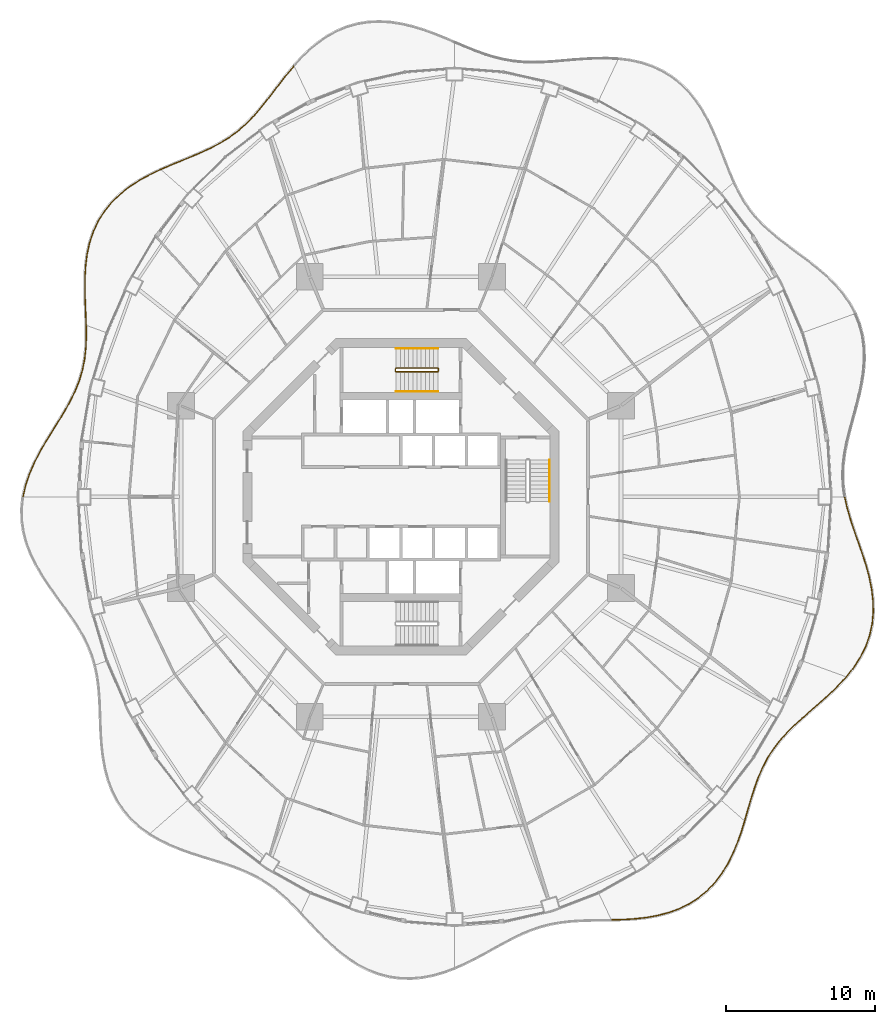
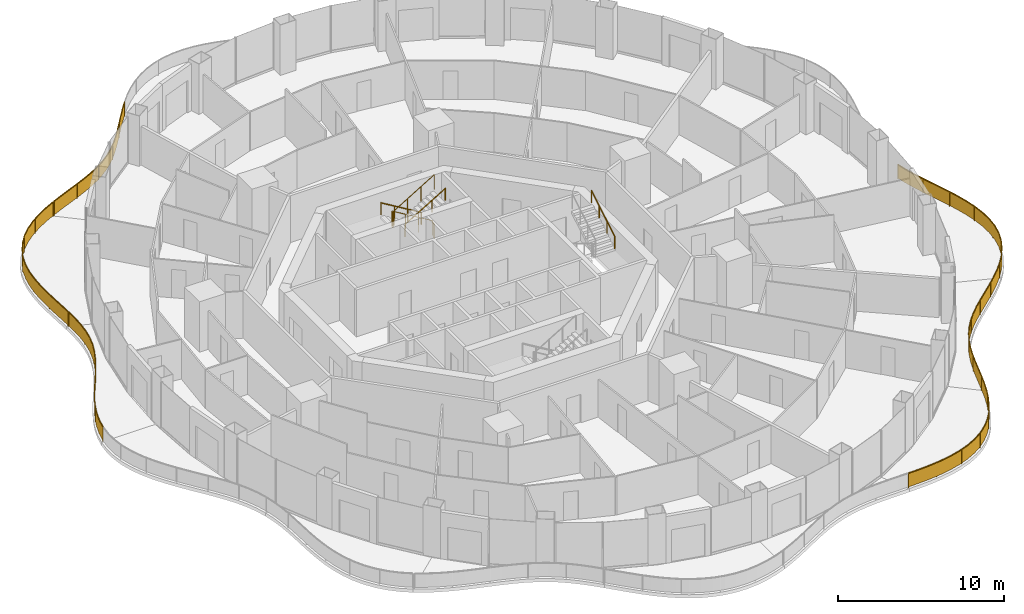
# One storey, part 18 of 19: 10 railings.
"""IFC4 building model written with IfcOpenShell, lengths in metres."""

from ifc_helpers import new_model, si_unit, direction, frame, origin, origin_2d, place, context, subcontext, project, spatial, polyline, rectangle, circle, outline, extrude, material, type_object, element, save


model = new_model("IFC4")

# Units and contexts
model_context = context("Model", 3, precision=1e-05, world=origin(), true_north=direction((0.0, 1.0)))
body_context = subcontext(model_context, "Body", "Model", "MODEL_VIEW")
ifc_project = project(units=[si_unit("LENGTHUNIT", "METRE"), si_unit("AREAUNIT", "SQUARE_METRE"), si_unit("VOLUMEUNIT", "CUBIC_METRE"), si_unit("PLANEANGLEUNIT", "RADIAN"), si_unit("MASSUNIT", "GRAM", prefix="KILO")], contexts=[model_context])

# Site, building, storey
site_placement = place(None, origin())
site = spatial("IfcSite", under=ifc_project, at=site_placement, CompositionType="ELEMENT")
building_placement = place(site_placement, origin())
building = spatial("IfcBuilding", under=site, at=building_placement, Name="Nagisa Residences", CompositionType="ELEMENT")
storey_placement = place(building_placement, frame((0.0, 0.0, 195.5)))
storey = spatial("IfcBuildingStorey", under=building, at=storey_placement, Name="L49", CompositionType="ELEMENT", Elevation=195.5)

# Railings
ifc_material_1 = material(Name="Stainless steel 316", Category="steel")
railing_type_1 = type_object("IfcRailingType", Name="BALCONY GUARD 1100", PredefinedType="BALUSTRADE", material=ifc_material_1)
railing_1_placement = place(storey_placement, frame((-7.211669921875, 28.931884765625, 0.0)))
element("IfcRailing", 1, at=railing_1_placement, inside=storey, type_object=railing_type_1, Name="guard:L49:bal05-0", PredefinedType="BALUSTRADE", context=body_context, shape_type="SweptSolid", body=[
    extrude(outline(polyline([(-0.45361328125, -0.5859375), (0.019287109375, -0.015869140625), (-0.019287109375, 0.015869140625), (-0.49267578125, -0.5546875), (-0.973388671875, -1.16748046875), (-1.437255859375, -1.7744140625), (-1.89306640625, -2.363037109375), (-2.349365234375, -2.92333984375), (-2.802001953125, -3.438232421875), (-3.286376953125, -3.9208984375), (-3.7958984375, -4.36083984375), (-4.336669921875, -4.758544921875), (-4.911376953125, -5.1181640625), (-5.509521484375, -5.43505859375), (-6.153564453125, -5.73876953125), (-6.8271484375, -6.027587890625), (-7.5234375, -6.31298828125), (-8.23388671875, -6.605224609375), (-8.906005859375, -6.894287109375), (-8.886474609375, -6.940185546875), (-8.21435546875, -6.651123046875), (-7.50439453125, -6.359375), (-6.8076171875, -6.073974609375), (-6.133056640625, -5.7841796875), (-5.487060546875, -5.47998046875), (-4.886474609375, -5.16162109375), (-4.308349609375, -4.800048828125), (-3.7646484375, -4.39990234375), (-3.252197265625, -3.95751953125), (-2.765380859375, -3.472412109375), (-2.311279296875, -2.95556640625), (-1.85400390625, -2.394287109375), (-1.397705078125, -1.80517578125), (-0.933837890625, -1.1982421875), (-0.45361328125, -0.5859375)])), frame((0.0, 0.0, 1.050048828125)), (0.0, 0.0, 1.0), 0.050048828125),
    extrude(outline(polyline([(-0.4677734375, -0.57470703125), (0.00537109375, -0.00439453125), (-0.00537109375, 0.00439453125), (-0.478515625, -0.56591796875), (-0.959228515625, -1.178466796875), (-1.423095703125, -1.78564453125), (-1.87890625, -2.374267578125), (-2.335693359375, -2.934814453125), (-2.788818359375, -3.450439453125), (-3.274169921875, -3.93408203125), (-3.78466796875, -4.375), (-4.326416015625, -4.7734375), (-4.90234375, -5.1337890625), (-5.50146484375, -5.451171875), (-6.146240234375, -5.755126953125), (-6.820068359375, -6.04443359375), (-7.5166015625, -6.32958984375), (-8.226806640625, -6.621826171875), (-8.89892578125, -6.910888671875), (-8.8935546875, -6.923583984375), (-8.221435546875, -6.634521484375), (-7.51123046875, -6.3427734375), (-6.814697265625, -6.05712890625), (-6.140380859375, -5.767822265625), (-5.4951171875, -5.4638671875), (-4.8955078125, -5.14599609375), (-4.318603515625, -4.78515625), (-3.77587890625, -4.3857421875), (-3.264404296875, -3.9443359375), (-2.778564453125, -3.460205078125), (-2.324951171875, -2.944091796875), (-1.8681640625, -2.383056640625), (-1.411865234375, -1.7939453125), (-0.947998046875, -1.187255859375), (-0.4677734375, -0.57470703125)])), frame((0.0, 0.0, 0.06005859375)), (0.0, 0.0, 1.0), 0.989990234375),
    extrude(rectangle(XDim=0.0400390625, YDim=0.0400390625, at=origin_2d()), origin(), (0.0, 0.0, 1.0), 1.050048828125),
    extrude(rectangle(XDim=0.0400390625, YDim=0.0400390625, at=origin_2d()), frame((-1.43115234375, -1.8076171875, 0.0)), (0.0, 0.0, 1.0), 1.050048828125),
    extrude(rectangle(XDim=0.0400390625, YDim=0.0400390625, at=origin_2d()), frame((-2.906494140625, -3.57763671875, 0.0)), (0.0, 0.0, 1.0), 1.050048828125),
    extrude(rectangle(XDim=0.0400390625, YDim=0.0400390625, at=origin_2d()), frame((-4.7001953125, -5.015625, 0.0)), (0.0, 0.0, 1.0), 1.050048828125),
    extrude(rectangle(XDim=0.0400390625, YDim=0.0400390625, at=origin_2d()), frame((-6.76806640625, -6.029541015625, 0.0)), (0.0, 0.0, 1.0), 1.050048828125),
    extrude(rectangle(XDim=0.0400390625, YDim=0.0400390625, at=origin_2d()), frame((-8.896240234375, -6.917236328125, 0.0)), (0.0, 0.0, 1.0), 1.050048828125),
])
railing_2_placement = place(storey_placement, frame((-16.178466796875, 21.984130859375, 0.0)))
element("IfcRailing", 2, at=railing_2_placement, inside=storey, type_object=railing_type_1, Name="guard:L49:bal06-0", PredefinedType="BALUSTRADE", context=body_context, shape_type="SweptSolid", body=[
    extrude(outline(polyline([(-0.68701171875, -0.3544921875), (0.0107421875, -0.022705078125), (-0.0107421875, 0.022705078125), (-0.7099609375, -0.31005859375), (-1.425537109375, -0.70458984375), (-2.103271484375, -1.146728515625), (-2.7294921875, -1.641845703125), (-3.29150390625, -2.19140625), (-3.774169921875, -2.78564453125), (-4.185302734375, -3.44384765625), (-4.514892578125, -4.14892578125), (-4.763671875, -4.89404296875), (-4.93603515625, -5.67041015625), (-5.033935546875, -6.455810546875), (-5.08154296875, -7.2666015625), (-5.08642578125, -8.08056640625), (-5.063720703125, -8.889404296875), (-5.030029296875, -9.685791015625), (-5.001953125, -10.421142578125), (-4.9521484375, -10.419189453125), (-4.980224609375, -9.683837890625), (-5.013916015625, -8.887451171875), (-5.0361328125, -8.080078125), (-5.03173828125, -7.26806640625), (-4.984130859375, -6.460205078125), (-4.88671875, -5.6787109375), (-4.71533203125, -4.9072265625), (-4.468505859375, -4.16748046875), (-4.141357421875, -3.4677734375), (-3.733154296875, -2.81494140625), (-3.25439453125, -2.22509765625), (-2.6962890625, -1.679443359375), (-2.073974609375, -1.187255859375), (-1.399658203125, -0.74755859375), (-0.68701171875, -0.3544921875)])), frame((0.0, 0.0, 1.050048828125)), (0.0, 0.0, 1.0), 0.050048828125),
    extrude(outline(polyline([(-0.6953125, -0.338623046875), (0.0029296875, -0.00634765625), (-0.0029296875, 0.00634765625), (-0.70166015625, -0.325927734375), (-1.416259765625, -0.719970703125), (-2.0927734375, -1.161376953125), (-2.717529296875, -1.6552734375), (-3.278076171875, -2.20361328125), (-3.75927734375, -2.796142578125), (-4.16943359375, -3.452392578125), (-4.498291015625, -4.155517578125), (-4.746337890625, -4.898681640625), (-4.918212890625, -5.67333984375), (-5.01611328125, -6.457275390625), (-5.063720703125, -7.26708984375), (-5.068359375, -8.080322265625), (-5.0458984375, -8.888671875), (-5.01220703125, -9.68505859375), (-4.984130859375, -10.42041015625), (-4.969970703125, -10.419921875), (-4.998046875, -9.6845703125), (-5.03173828125, -8.88818359375), (-5.05419921875, -8.080322265625), (-5.049560546875, -7.267578125), (-5.001953125, -6.458740234375), (-4.904541015625, -5.67578125), (-4.732666015625, -4.902587890625), (-4.485107421875, -4.160888671875), (-4.1572265625, -3.459228515625), (-3.748046875, -2.804443359375), (-3.267822265625, -2.212890625), (-2.708251953125, -1.666015625), (-2.08447265625, -1.172607421875), (-1.408935546875, -0.732177734375), (-0.6953125, -0.338623046875)])), frame((0.0, 0.0, 0.06005859375)), (0.0, 0.0, 1.0), 0.989990234375),
    extrude(rectangle(XDim=0.0400390625, YDim=0.0400390625, at=origin_2d()), origin(), (0.0, 0.0, 1.0), 1.050048828125),
    extrude(rectangle(XDim=0.0400390625, YDim=0.0400390625, at=origin_2d()), frame((-1.843017578125, -1.0068359375, 0.0)), (0.0, 0.0, 1.0), 1.050048828125),
    extrude(rectangle(XDim=0.0400390625, YDim=0.0400390625, at=origin_2d()), frame((-3.41796875, -2.386962890625, 0.0)), (0.0, 0.0, 1.0), 1.050048828125),
    extrude(rectangle(XDim=0.0400390625, YDim=0.0400390625, at=origin_2d()), frame((-4.49853515625, -4.178955078125, 0.0)), (0.0, 0.0, 1.0), 1.050048828125),
    extrude(rectangle(XDim=0.0400390625, YDim=0.0400390625, at=origin_2d()), frame((-4.979248046875, -6.219482421875, 0.0)), (0.0, 0.0, 1.0), 1.050048828125),
    extrude(rectangle(XDim=0.0400390625, YDim=0.0400390625, at=origin_2d()), frame((-5.0546875, -8.31884765625, 0.0)), (0.0, 0.0, 1.0), 1.050048828125),
    extrude(rectangle(XDim=0.0400390625, YDim=0.0400390625, at=origin_2d()), frame((-4.97705078125, -10.420166015625, 0.0)), (0.0, 0.0, 1.0), 1.050048828125),
])
railing_3_placement = place(storey_placement, frame((-21.151611328125, 11.489501953125, 0.0)))
element("IfcRailing", 3, at=railing_3_placement, inside=storey, type_object=railing_type_1, Name="guard:L49:bal07-0", PredefinedType="BALUSTRADE", context=body_context, shape_type="SweptSolid", body=[
    extrude(outline(polyline([(0.032470703125, -0.73876953125), (0.02490234375, 0.000244140625), (-0.02490234375, -0.000244140625), (-0.017822265625, -0.73779296875), (-0.048583984375, -1.494140625), (-0.129150390625, -2.226806640625), (-0.2685546875, -2.9375), (-0.47021484375, -3.63037109375), (-0.731689453125, -4.297607421875), (-1.0546875, -4.972412109375), (-1.427490234375, -5.6474609375), (-1.837158203125, -6.327880859375), (-2.268310546875, -7.01953125), (-2.700927734375, -7.7119140625), (-3.119384765625, -8.435546875), (-3.502685546875, -9.177001953125), (-3.83251953125, -9.935302734375), (-4.09228515625, -10.708251953125), (-4.259765625, -11.446044921875), (-4.2109375, -11.457275390625), (-4.0439453125, -10.721923828125), (-3.78564453125, -9.953369140625), (-3.457275390625, -9.198486328125), (-3.075439453125, -8.45947265625), (-2.657958984375, -7.73779296875), (-2.225830078125, -7.0458984375), (-1.794677734375, -6.354248046875), (-1.384033203125, -5.67236328125), (-1.01025390625, -4.995361328125), (-0.685791015625, -4.317626953125), (-0.4228515625, -3.646484375), (-0.2197265625, -2.94921875), (-0.079833984375, -2.234130859375), (0.001220703125, -1.498046875), (0.032470703125, -0.73876953125)])), frame((0.0, 0.0, 1.050048828125)), (0.0, 0.0, 1.0), 0.050048828125),
    extrude(outline(polyline([(0.014404296875, -0.73828125), (0.007080078125, 0.0), (-0.007080078125, 0.0), (0.000244140625, -0.73828125), (-0.03076171875, -1.49560546875), (-0.111328125, -2.2294921875), (-0.2509765625, -2.941650390625), (-0.453125, -3.63623046875), (-0.715087890625, -4.304931640625), (-1.038818359375, -4.980712890625), (-1.411865234375, -5.656494140625), (-1.82177734375, -6.33740234375), (-2.2529296875, -7.029052734375), (-2.685546875, -7.72119140625), (-3.103515625, -8.444091796875), (-3.486328125, -9.184814453125), (-3.815673828125, -9.94189453125), (-4.074951171875, -10.713134765625), (-4.2421875, -11.4501953125), (-4.228515625, -11.453125), (-4.061279296875, -10.717041015625), (-3.802490234375, -9.94677734375), (-3.4736328125, -9.190673828125), (-3.09130859375, -8.450927734375), (-2.67333984375, -7.728515625), (-2.2412109375, -7.036376953125), (-1.81005859375, -6.3447265625), (-1.399658203125, -5.663330078125), (-1.026123046875, -4.987060546875), (-0.702392578125, -4.310302734375), (-0.43994140625, -3.640625), (-0.2373046875, -2.945068359375), (-0.09765625, -2.2314453125), (-0.0166015625, -1.49658203125), (0.014404296875, -0.73828125)])), frame((0.0, 0.0, 0.06005859375)), (0.0, 0.0, 1.0), 0.989990234375),
    extrude(rectangle(XDim=0.0400390625, YDim=0.0400390625, at=origin_2d()), origin(), (0.0, 0.0, 1.0), 1.050048828125),
    extrude(rectangle(XDim=0.0400390625, YDim=0.0400390625, at=origin_2d()), frame((-0.086181640625, -2.06494140625, 0.0)), (0.0, 0.0, 1.0), 1.050048828125),
    extrude(rectangle(XDim=0.0400390625, YDim=0.0400390625, at=origin_2d()), frame((-0.611572265625, -4.0595703125, 0.0)), (0.0, 0.0, 1.0), 1.050048828125),
    extrude(rectangle(XDim=0.0400390625, YDim=0.0400390625, at=origin_2d()), frame((-1.550537109375, -5.900146484375, 0.0)), (0.0, 0.0, 1.0), 1.050048828125),
    extrude(rectangle(XDim=0.0400390625, YDim=0.0400390625, at=origin_2d()), frame((-2.638916015625, -7.659912109375, 0.0)), (0.0, 0.0, 1.0), 1.050048828125),
    extrude(rectangle(XDim=0.0400390625, YDim=0.0400390625, at=origin_2d()), frame((-3.609375, -9.4853515625, 0.0)), (0.0, 0.0, 1.0), 1.050048828125),
    extrude(rectangle(XDim=0.0400390625, YDim=0.0400390625, at=origin_2d()), frame((-4.2353515625, -11.45166015625, 0.0)), (0.0, 0.0, 1.0), 1.050048828125),
])
railing_4_placement = place(storey_placement, frame((14.17333984375, -28.42626953125, 0.0)))
element("IfcRailing", 4, at=railing_4_placement, inside=storey, type_object=railing_type_1, Name="guard:L49:bal13-0", PredefinedType="BALUSTRADE", context=body_context, shape_type="SweptSolid", body=[
    extrude(outline(polyline([(0.7333984375, 0.0439453125), (-0.000732421875, 0.02490234375), (0.000732421875, -0.02490234375), (0.73583984375, -0.005859375), (1.52294921875, 0.04296875), (2.307861328125, 0.13134765625), (3.081298828125, 0.270263671875), (3.83154296875, 0.468017578125), (4.5400390625, 0.726318359375), (5.220947265625, 1.0634765625), (5.853515625, 1.47314453125), (6.431884765625, 1.95361328125), (6.9521484375, 2.5), (7.401123046875, 3.094482421875), (7.803955078125, 3.74951171875), (8.152587890625, 4.443603515625), (8.45361328125, 5.16552734375), (8.71533203125, 5.9033203125), (8.932373046875, 6.602783203125), (8.884521484375, 6.617431640625), (8.66796875, 5.9189453125), (8.40673828125, 5.18359375), (8.107177734375, 4.464599609375), (7.760009765625, 3.77392578125), (7.359619140625, 3.122802734375), (6.9140625, 2.5322265625), (6.397705078125, 1.990234375), (5.82373046875, 1.513671875), (5.196044921875, 1.10693359375), (4.5205078125, 0.772216796875), (3.81640625, 0.515869140625), (3.070556640625, 0.319091796875), (2.300537109375, 0.1806640625), (1.5185546875, 0.0927734375), (0.7333984375, 0.0439453125)])), frame((0.0, 0.0, 1.050048828125)), (0.0, 0.0, 1.0), 0.050048828125),
    extrude(outline(polyline([(0.734375, 0.026123046875), (-0.000244140625, 0.007080078125), (0.000244140625, -0.007080078125), (0.73486328125, 0.011962890625), (1.521240234375, 0.060791015625), (2.30517578125, 0.149169921875), (3.077392578125, 0.287841796875), (3.826171875, 0.4853515625), (4.532958984375, 0.742919921875), (5.2119140625, 1.0791015625), (5.8427734375, 1.48779296875), (6.419677734375, 1.966796875), (6.9384765625, 2.511474609375), (7.38623046875, 3.104736328125), (7.7880859375, 3.75830078125), (8.13623046875, 4.451171875), (8.436767578125, 5.172119140625), (8.6982421875, 5.908935546875), (8.9150390625, 6.608154296875), (8.90185546875, 6.612060546875), (8.68505859375, 5.913330078125), (8.423583984375, 5.177001953125), (8.12353515625, 4.45703125), (7.77587890625, 3.76513671875), (7.37451171875, 3.112548828125), (6.927734375, 2.520751953125), (6.409912109375, 1.97705078125), (5.83447265625, 1.4990234375), (5.205078125, 1.09130859375), (4.527587890625, 0.755615234375), (3.82177734375, 0.49853515625), (3.074462890625, 0.301513671875), (2.30322265625, 0.162841796875), (1.520263671875, 0.074951171875), (0.734375, 0.026123046875)])), frame((0.0, 0.0, 0.06005859375)), (0.0, 0.0, 1.0), 0.989990234375),
    extrude(rectangle(XDim=0.0400390625, YDim=0.0400390625, at=origin_2d()), origin(), (0.0, 0.0, 1.0), 1.050048828125),
    extrude(rectangle(XDim=0.0400390625, YDim=0.0400390625, at=origin_2d()), frame((2.029541015625, 0.125, 0.0)), (0.0, 0.0, 1.0), 1.050048828125),
    extrude(rectangle(XDim=0.0400390625, YDim=0.0400390625, at=origin_2d()), frame((4.011962890625, 0.560546875, 0.0)), (0.0, 0.0, 1.0), 1.050048828125),
    extrude(rectangle(XDim=0.0400390625, YDim=0.0400390625, at=origin_2d()), frame((5.81787109375, 1.47998046875, 0.0)), (0.0, 0.0, 1.0), 1.050048828125),
    extrude(rectangle(XDim=0.0400390625, YDim=0.0400390625, at=origin_2d()), frame((7.23974609375, 2.92236328125, 0.0)), (0.0, 0.0, 1.0), 1.050048828125),
    extrude(rectangle(XDim=0.0400390625, YDim=0.0400390625, at=origin_2d()), frame((8.229736328125, 4.693603515625, 0.0)), (0.0, 0.0, 1.0), 1.050048828125),
    extrude(rectangle(XDim=0.0400390625, YDim=0.0400390625, at=origin_2d()), frame((8.908447265625, 6.610107421875, 0.0)), (0.0, 0.0, 1.0), 1.050048828125),
])
railing_5_placement = place(storey_placement, frame((23.102294921875, -21.74267578125, 0.0)))
element("IfcRailing", 5, at=railing_5_placement, inside=storey, type_object=railing_type_1, Name="guard:L49:bal14-0", PredefinedType="BALUSTRADE", context=body_context, shape_type="SweptSolid", body=[
    extrude(outline(polyline([(0.1875, 0.735595703125), (-0.02392578125, 0.007080078125), (0.02392578125, -0.007080078125), (0.2353515625, 0.721435546875), (0.456787109375, 1.4755859375), (0.6875, 2.203369140625), (0.9404296875, 2.899169921875), (1.22705078125, 3.559326171875), (1.5478515625, 4.1708984375), (1.92578125, 4.76123046875), (2.35546875, 5.322021484375), (2.83544921875, 5.859375), (3.361572265625, 6.38134765625), (3.919189453125, 6.883056640625), (4.51025390625, 7.399658203125), (5.114013671875, 7.92578125), (5.71533203125, 8.4697265625), (6.2978515625, 9.037841796875), (6.814208984375, 9.598876953125), (6.777587890625, 9.632568359375), (6.26171875, 9.072509765625), (5.68115234375, 8.50634765625), (5.080810546875, 7.96337890625), (4.4775390625, 7.437255859375), (3.885986328125, 6.920654296875), (3.327392578125, 6.41796875), (2.79931640625, 5.89404296875), (2.31689453125, 5.353759765625), (1.884765625, 4.7900390625), (1.50439453125, 4.1962890625), (1.181640625, 3.580810546875), (0.89404296875, 2.917724609375), (0.64013671875, 2.219482421875), (0.408935546875, 1.490234375), (0.1875, 0.735595703125)])), frame((0.0, 0.0, 1.050048828125)), (0.0, 0.0, 1.0), 0.050048828125),
    extrude(outline(polyline([(0.20458984375, 0.73046875), (-0.0068359375, 0.001953125), (0.0068359375, -0.001953125), (0.21826171875, 0.7265625), (0.439453125, 1.48095703125), (0.67041015625, 2.209228515625), (0.923828125, 2.90576171875), (1.210693359375, 3.567138671875), (1.5322265625, 4.18017578125), (1.910888671875, 4.771728515625), (2.341552734375, 5.33349609375), (2.822509765625, 5.871826171875), (3.349365234375, 6.39453125), (3.9072265625, 6.896728515625), (4.49853515625, 7.4130859375), (5.10205078125, 7.939453125), (5.703125, 8.48291015625), (6.284912109375, 9.05029296875), (6.801025390625, 9.611083984375), (6.790771484375, 9.620361328125), (6.274658203125, 9.06005859375), (5.693359375, 8.4931640625), (5.0927734375, 7.94970703125), (4.4892578125, 7.423828125), (3.89794921875, 6.906982421875), (3.339599609375, 6.40478515625), (2.812255859375, 5.881591796875), (2.330810546875, 5.34228515625), (1.899658203125, 4.779541015625), (1.52001953125, 4.18701171875), (1.197998046875, 3.572998046875), (0.91064453125, 2.9111328125), (0.6572265625, 2.213623046875), (0.42626953125, 1.48486328125), (0.20458984375, 0.73046875)])), frame((0.0, 0.0, 0.06005859375)), (0.0, 0.0, 1.0), 0.989990234375),
    extrude(rectangle(XDim=0.0400390625, YDim=0.0400390625, at=origin_2d()), origin(), (0.0, 0.0, 1.0), 1.050048828125),
    extrude(rectangle(XDim=0.0400390625, YDim=0.0400390625, at=origin_2d()), frame((0.573486328125, 1.9267578125, 0.0)), (0.0, 0.0, 1.0), 1.050048828125),
    extrude(rectangle(XDim=0.0400390625, YDim=0.0400390625, at=origin_2d()), frame((1.31982421875, 3.790283203125, 0.0)), (0.0, 0.0, 1.0), 1.050048828125),
    extrude(rectangle(XDim=0.0400390625, YDim=0.0400390625, at=origin_2d()), frame((2.439453125, 5.453369140625, 0.0)), (0.0, 0.0, 1.0), 1.050048828125),
    extrude(rectangle(XDim=0.0400390625, YDim=0.0400390625, at=origin_2d()), frame((3.864990234375, 6.8681640625, 0.0)), (0.0, 0.0, 1.0), 1.050048828125),
    extrude(rectangle(XDim=0.0400390625, YDim=0.0400390625, at=origin_2d()), frame((5.374755859375, 8.195556640625, 0.0)), (0.0, 0.0, 1.0), 1.050048828125),
    extrude(rectangle(XDim=0.0400390625, YDim=0.0400390625, at=origin_2d()), frame((6.7958984375, 9.61572265625, 0.0)), (0.0, 0.0, 1.0), 1.050048828125),
])
railing_6_placement = place(storey_placement, frame((29.948974609375, -12.068603515625, 0.0)))
element("IfcRailing", 6, at=railing_6_placement, inside=storey, type_object=railing_type_1, Name="guard:L49:bal15-0", PredefinedType="BALUSTRADE", context=body_context, shape_type="SweptSolid", body=[
    extrude(outline(polyline([(0.462158203125, 0.625), (-0.01953125, 0.015625), (0.01953125, -0.015625), (0.502685546875, 0.595703125), (0.94287109375, 1.279541015625), (1.300537109375, 1.997314453125), (1.567138671875, 2.745361328125), (1.73779296875, 3.519287109375), (1.809814453125, 4.29931640625), (1.79345703125, 5.106201171875), (1.6953125, 5.9189453125), (1.528076171875, 6.73095703125), (1.306884765625, 7.536865234375), (1.049072265625, 8.318115234375), (0.77685546875, 9.09912109375), (0.507568359375, 9.864990234375), (0.260009765625, 10.615478515625), (0.049560546875, 11.352783203125), (-0.1015625, 12.039794921875), (-0.150390625, 12.029052734375), (0.001220703125, 11.340576171875), (0.212158203125, 10.600830078125), (0.460205078125, 9.848876953125), (0.7294921875, 9.08251953125), (1.001708984375, 8.302001953125), (1.259033203125, 7.522216796875), (1.479248046875, 6.71923828125), (1.64599609375, 5.91064453125), (1.74365234375, 5.102783203125), (1.759521484375, 4.30126953125), (1.6884765625, 3.527099609375), (1.518798828125, 2.759033203125), (1.254638671875, 2.016845703125), (0.8994140625, 1.304443359375), (0.462158203125, 0.625)])), frame((0.0, 0.0, 1.050048828125)), (0.0, 0.0, 1.0), 0.050048828125),
    extrude(outline(polyline([(0.476806640625, 0.614501953125), (-0.00537109375, 0.00439453125), (0.00537109375, -0.00439453125), (0.488037109375, 0.606201171875), (0.92724609375, 1.28857421875), (1.283935546875, 2.00439453125), (1.5498046875, 2.750244140625), (1.719970703125, 3.522216796875), (1.791748046875, 4.300048828125), (1.775634765625, 5.10498046875), (1.677490234375, 5.916015625), (1.510498046875, 6.726806640625), (1.28955078125, 7.531494140625), (1.031982421875, 8.312255859375), (0.759765625, 9.093017578125), (0.490478515625, 9.859130859375), (0.24267578125, 10.610107421875), (0.0322265625, 11.348388671875), (-0.119140625, 12.035888671875), (-0.1328125, 12.032958984375), (0.0185546875, 11.344970703125), (0.2294921875, 10.606201171875), (0.477294921875, 9.854736328125), (0.74658203125, 9.088623046875), (1.018798828125, 8.307861328125), (1.2763671875, 7.527587890625), (1.496826171875, 6.723388671875), (1.663818359375, 5.91357421875), (1.761474609375, 5.10400390625), (1.777587890625, 4.300537109375), (1.706298828125, 3.524169921875), (1.5361328125, 2.754150390625), (1.271240234375, 2.009765625), (0.9150390625, 1.29541015625), (0.476806640625, 0.614501953125)])), frame((0.0, 0.0, 0.06005859375)), (0.0, 0.0, 1.0), 0.989990234375),
    extrude(rectangle(XDim=0.0400390625, YDim=0.0400390625, at=origin_2d()), origin(), (0.0, 0.0, 1.0), 1.050048828125),
    extrude(rectangle(XDim=0.0400390625, YDim=0.0400390625, at=origin_2d()), frame((1.160888671875, 1.772705078125, 0.0)), (0.0, 0.0, 1.0), 1.050048828125),
    extrude(rectangle(XDim=0.0400390625, YDim=0.0400390625, at=origin_2d()), frame((1.739013671875, 3.805419921875, 0.0)), (0.0, 0.0, 1.0), 1.050048828125),
    extrude(rectangle(XDim=0.0400390625, YDim=0.0400390625, at=origin_2d()), frame((1.6689453125, 5.9228515625, 0.0)), (0.0, 0.0, 1.0), 1.050048828125),
    extrude(rectangle(XDim=0.0400390625, YDim=0.0400390625, at=origin_2d()), frame((1.134765625, 7.978271484375, 0.0)), (0.0, 0.0, 1.0), 1.050048828125),
    extrude(rectangle(XDim=0.0400390625, YDim=0.0400390625, at=origin_2d()), frame((0.44091796875, 9.987548828125, 0.0)), (0.0, 0.0, 1.0), 1.050048828125),
    extrude(rectangle(XDim=0.0400390625, YDim=0.0400390625, at=origin_2d()), frame((-0.1259765625, 12.034423828125, 0.0)), (0.0, 0.0, 1.0), 1.050048828125),
])
ifc_material_2 = material(Name="Stainless steel", Category="steel")
railing_type_2 = type_object("IfcRailingType", Name="Stair guard 1100", PredefinedType="GUARDRAIL", material=ifc_material_2)
railing_7_placement = place(storey_placement, frame((2.52490234375, 8.44970703125, 0.0)))
element("IfcRailing", 7, at=railing_7_placement, inside=storey, type_object=railing_type_2, Name="L49 ST-N stair guard 1", PredefinedType="GUARDRAIL", context=body_context, shape_type="SweptSolid", body=[
    extrude(circle(Radius=0.02392578125, at=origin_2d()), frame((0.0, 0.0, 1.076171875), z_axis=(0.0, 1.0, 0.0), x_axis=(-1.0, 0.0, 0.0)), (0.0, 0.0, 1.0), 0.14990234375),
    extrude(circle(Radius=0.02392578125, at=origin_2d()), frame((0.0, 0.14990234375, 1.076171875), z_axis=(-0.273006030465, 0.27434429532, 0.922064485248), x_axis=(-0.708833529934, -0.705375805398, 0.0)), (0.0, 0.0, 1.0), 0.182373046875),
    extrude(circle(Radius=0.02392578125, at=origin_2d()), frame((-0.0498046875, 0.199951171875, 1.244140625), z_axis=(-0.857242210791, 0.0, 0.514913383045), x_axis=(0.0, -1.0, 0.0)), (0.0, 0.0, 1.0), 3.266357421875),
    extrude(circle(Radius=0.02392578125, at=origin_2d()), frame((-2.849853515625, 0.199951171875, 2.92626953125), z_axis=(-0.707106781187, -0.707106781187, 0.0), x_axis=(0.707106781187, -0.707106781187, 0.0)), (0.0, 0.0, 1.0), 0.07080078125),
    extrude(circle(Radius=0.02392578125, at=origin_2d()), frame((-2.89990234375, 0.14990234375, 2.92626953125), z_axis=(0.0, -1.0, 0.0), x_axis=(1.0, 0.0, 0.0)), (0.0, 0.0, 1.0), 0.14990234375),
    extrude(circle(Radius=0.02392578125, at=origin_2d()), frame((-2.89990234375, 0.0, 2.92626953125), z_axis=(0.274582412415, -0.274582412415, 0.921525364591), x_axis=(0.707106781187, 0.707106781187, 0.0)), (0.0, 0.0, 1.0), 0.182373046875),
    extrude(circle(Radius=0.02392578125, at=origin_2d()), frame((-2.849853515625, -0.050048828125, 3.09423828125), z_axis=(0.857242210791, 0.0, 0.514913383045), x_axis=(0.0, 1.0, 0.0)), (0.0, 0.0, 1.0), 3.266357421875),
    extrude(circle(Radius=0.02099609375, at=origin_2d()), origin(), (0.0, 0.0, 1.0), 1.052001953125),
    extrude(circle(Radius=0.02099609375, at=origin_2d()), frame((0.0, 0.14990234375, 0.0)), (0.0, 0.0, 1.0), 1.052001953125),
    extrude(circle(Radius=0.02099609375, at=origin_2d()), frame((-0.0498046875, 0.199951171875, 0.168212890625)), (0.0, 0.0, 1.0), 1.052001953125),
    extrude(circle(Radius=0.02099609375, at=origin_2d()), frame((-0.983154296875, 0.199951171875, 0.728759765625)), (0.0, 0.0, 1.0), 1.052001953125),
    extrude(circle(Radius=0.02099609375, at=origin_2d()), frame((-1.91650390625, 0.199951171875, 1.28955078125)), (0.0, 0.0, 1.0), 1.052001953125),
    extrude(circle(Radius=0.02099609375, at=origin_2d()), frame((-2.849853515625, 0.199951171875, 1.85009765625)), (0.0, 0.0, 1.0), 1.052001953125),
    extrude(circle(Radius=0.02099609375, at=origin_2d()), frame((-2.89990234375, 0.14990234375, 1.85009765625)), (0.0, 0.0, 1.0), 1.052001953125),
    extrude(circle(Radius=0.02099609375, at=origin_2d()), frame((-2.89990234375, 0.0, 1.85009765625)), (0.0, 0.0, 1.0), 1.052001953125),
    extrude(circle(Radius=0.02099609375, at=origin_2d()), frame((-2.849853515625, -0.050048828125, 2.01806640625)), (0.0, 0.0, 1.0), 1.052001953125),
    extrude(circle(Radius=0.02099609375, at=origin_2d()), frame((-1.91650390625, -0.050048828125, 2.57861328125)), (0.0, 0.0, 1.0), 1.052001953125),
    extrude(circle(Radius=0.02099609375, at=origin_2d()), frame((-0.983154296875, -0.050048828125, 3.139404296875)), (0.0, 0.0, 1.0), 1.052001953125),
    extrude(circle(Radius=0.02099609375, at=origin_2d()), frame((-0.0498046875, -0.050048828125, 3.699951171875)), (0.0, 0.0, 1.0), 1.052001953125),
])
ifc_material_3 = material(Name="Stainless steel", Category="steel")
railing_type_3 = type_object("IfcRailingType", Name="Stair handrail 900", PredefinedType="HANDRAIL", material=ifc_material_3)
railing_8_placement = place(storey_placement, frame((9.974609375, -0.324951171875, 2.01806640625)))
element("IfcRailing", 8, at=railing_8_placement, inside=storey, type_object=railing_type_3, Name="L49 ST-E stair handrail 2", PredefinedType="HANDRAIL", context=body_context, shape_type="SweptSolid", body=[
    extrude(circle(Radius=0.02392578125, at=origin_2d()), frame((0.0, 0.0, 0.8759765625), z_axis=(0.0, 0.857242210791, 0.514913383045), x_axis=(-1.0, 0.0, 0.0)), (0.0, 0.0, 1.0), 3.266357421875),
    extrude(circle(Radius=0.02099609375, at=origin_2d()), origin(), (0.0, 0.0, 1.0), 0.851806640625),
    extrude(circle(Radius=0.02099609375, at=origin_2d()), frame((0.0, 0.933349609375, 0.560546875)), (0.0, 0.0, 1.0), 0.851806640625),
    extrude(circle(Radius=0.02099609375, at=origin_2d()), frame((0.0, 1.86669921875, 1.121337890625)), (0.0, 0.0, 1.0), 0.851806640625),
    extrude(circle(Radius=0.02099609375, at=origin_2d()), frame((0.0, 2.800048828125, 1.681884765625)), (0.0, 0.0, 1.0), 0.851806640625),
])
railing_9_placement = place(storey_placement, frame((2.47509765625, 9.974609375, 0.168212890625)))
element("IfcRailing", 9, at=railing_9_placement, inside=storey, type_object=railing_type_3, Name="L49 ST-N stair handrail 1", PredefinedType="HANDRAIL", context=body_context, shape_type="SweptSolid", body=[
    extrude(circle(Radius=0.02392578125, at=origin_2d()), frame((0.0, 0.0, 0.8759765625), z_axis=(-0.857242210791, 0.0, 0.514913383045), x_axis=(0.0, -1.0, 0.0)), (0.0, 0.0, 1.0), 3.266357421875),
    extrude(circle(Radius=0.02099609375, at=origin_2d()), origin(), (0.0, 0.0, 1.0), 0.851806640625),
    extrude(circle(Radius=0.02099609375, at=origin_2d()), frame((-0.933349609375, 0.0, 0.560546875)), (0.0, 0.0, 1.0), 0.851806640625),
    extrude(circle(Radius=0.02099609375, at=origin_2d()), frame((-1.86669921875, 0.0, 1.121337890625)), (0.0, 0.0, 1.0), 0.851806640625),
    extrude(circle(Radius=0.02099609375, at=origin_2d()), frame((-2.800048828125, 0.0, 1.681884765625)), (0.0, 0.0, 1.0), 0.851806640625),
])
railing_10_placement = place(storey_placement, frame((-0.324951171875, 7.07470703125, 2.01806640625)))
element("IfcRailing", 10, at=railing_10_placement, inside=storey, type_object=railing_type_3, Name="L49 ST-N stair handrail 2", PredefinedType="HANDRAIL", context=body_context, shape_type="SweptSolid", body=[
    extrude(circle(Radius=0.02392578125, at=origin_2d()), frame((0.0, 0.0, 0.8759765625), z_axis=(0.857242210791, 0.0, 0.514913383045), x_axis=(0.0, 1.0, 0.0)), (0.0, 0.0, 1.0), 3.266357421875),
    extrude(circle(Radius=0.02099609375, at=origin_2d()), origin(), (0.0, 0.0, 1.0), 0.851806640625),
    extrude(circle(Radius=0.02099609375, at=origin_2d()), frame((0.933349609375, 0.0, 0.560546875)), (0.0, 0.0, 1.0), 0.851806640625),
    extrude(circle(Radius=0.02099609375, at=origin_2d()), frame((1.86669921875, 0.0, 1.121337890625)), (0.0, 0.0, 1.0), 0.851806640625),
    extrude(circle(Radius=0.02099609375, at=origin_2d()), frame((2.800048828125, 0.0, 1.681884765625)), (0.0, 0.0, 1.0), 0.851806640625),
])

save(model, "model.ifc")
